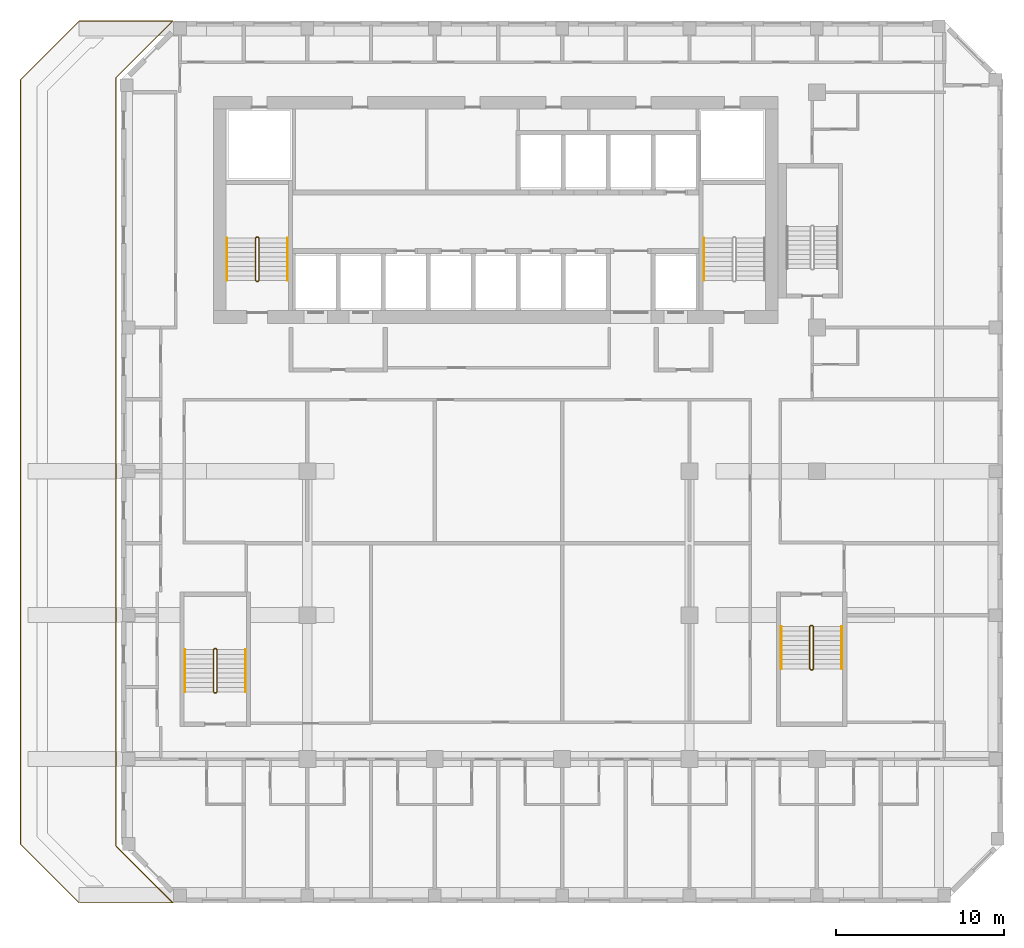
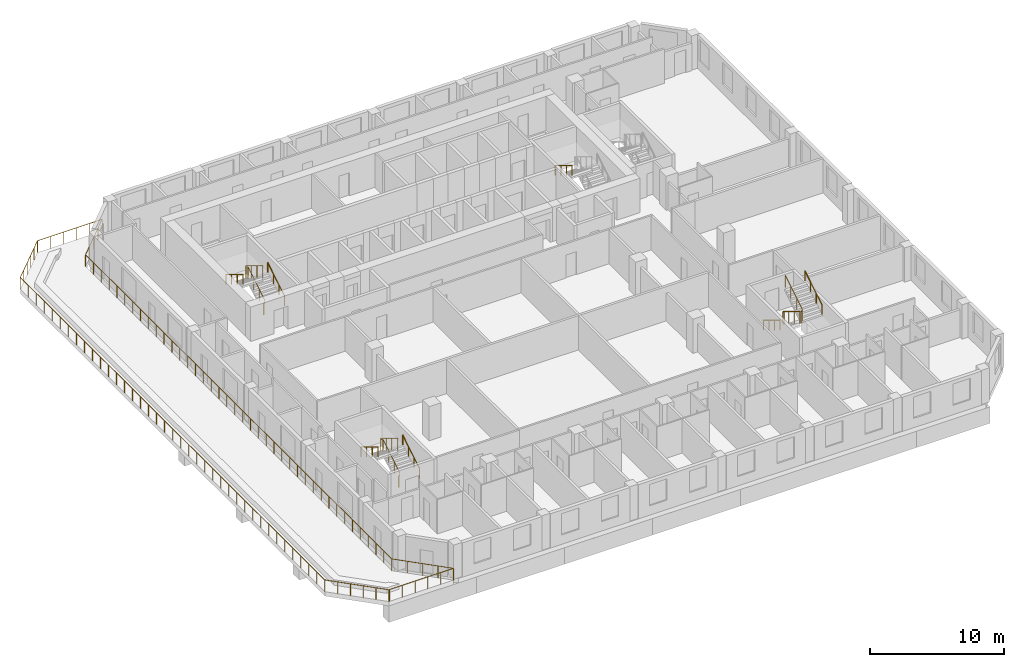
# One storey, part 15 of 16: 11 railings.
"""IFC4 building model written with IfcOpenShell, lengths in metres."""

from ifc_helpers import new_model, si_unit, direction, frame, origin, origin_2d, place, context, subcontext, project, spatial, circle, extrude, material, type_object, element, save


model = new_model("IFC4")

# Units and contexts
model_context = context("Model", 3, precision=1e-05, world=origin(), true_north=direction((0.0, 1.0)))
body_context = subcontext(model_context, "Body", "Model", "MODEL_VIEW")
ifc_project = project(units=[si_unit("LENGTHUNIT", "METRE"), si_unit("AREAUNIT", "SQUARE_METRE"), si_unit("VOLUMEUNIT", "CUBIC_METRE"), si_unit("PLANEANGLEUNIT", "RADIAN"), si_unit("MASSUNIT", "GRAM", prefix="KILO")], contexts=[model_context])

# Site, building, storey
site_placement = place(None, origin())
site = spatial("IfcSite", under=ifc_project, at=site_placement, CompositionType="ELEMENT")
building_placement = place(site_placement, origin())
building = spatial("IfcBuilding", under=site, at=building_placement, Name="Kilnfold Tower and Market Hall", CompositionType="ELEMENT")
storey_placement = place(building_placement, frame((0.0, 0.0, 199.89990234375)))
storey = spatial("IfcBuildingStorey", under=building, at=storey_placement, Name="L48", CompositionType="ELEMENT", Elevation=199.89990234375)

# Railings
ifc_material_1 = material(Name="Stainless steel 316", Category="steel")
railing_type_1 = type_object("IfcRailingType", Name="CORE STAIR GUARD 1100", PredefinedType="GUARDRAIL", material=ifc_material_1)
railing_1_placement = place(storey_placement, frame((-13.199951171875, 10.75, 0.0)))
element("IfcRailing", 1, at=railing_1_placement, inside=storey, type_object=railing_type_1, Name="L48 ST1 stair guard 1", PredefinedType="GUARDRAIL", context=body_context, shape_type="SweptSolid", body=[
    extrude(circle(Radius=0.02392578125, at=origin_2d()), frame((0.0, 0.0, 1.076171875), z_axis=(1.0, 0.0, 0.0), x_axis=(0.0, 1.0, 0.0)), (0.0, 0.0, 1.0), 0.099853515625),
    extrude(circle(Radius=0.02392578125, at=origin_2d()), frame((0.099853515625, 0.0, 1.076171875), z_axis=(0.271562723297, 0.271562723297, 0.923313259209), x_axis=(-0.707106781187, 0.707106781187, 0.0)), (0.0, 0.0, 1.0), 0.184326171875),
    extrude(circle(Radius=0.02392578125, at=origin_2d()), frame((0.14990234375, 0.050048828125, 1.24609375), z_axis=(0.0, 0.85478489116, 0.518982456201), x_axis=(-1.0, 0.0, 0.0)), (0.0, 0.0, 1.0), 2.9482421875),
    extrude(circle(Radius=0.02392578125, at=origin_2d()), frame((0.14990234375, 2.570068359375, 2.7763671875), z_axis=(-0.707106781187, 0.707106781187, 0.0), x_axis=(-0.707106781187, -0.707106781187, 0.0)), (0.0, 0.0, 1.0), 0.07080078125),
    extrude(circle(Radius=0.02392578125, at=origin_2d()), frame((0.099853515625, 2.6201171875, 2.7763671875), z_axis=(-1.0, 0.0, 0.0), x_axis=(0.0, -1.0, 0.0)), (0.0, 0.0, 1.0), 0.099853515625),
    extrude(circle(Radius=0.02392578125, at=origin_2d()), frame((0.0, 2.6201171875, 2.7763671875), z_axis=(-0.271895245746, -0.271895245746, 0.923117517265), x_axis=(0.707106781187, -0.707106781187, 0.0)), (0.0, 0.0, 1.0), 0.18408203125),
    extrude(circle(Radius=0.02392578125, at=origin_2d()), frame((-0.050048828125, 2.570068359375, 2.9462890625), z_axis=(0.0, -0.85478489116, 0.518982456201), x_axis=(1.0, 0.0, 0.0)), (0.0, 0.0, 1.0), 2.9482421875),
    extrude(circle(Radius=0.02099609375, at=origin_2d()), origin(), (0.0, 0.0, 1.0), 1.052001953125),
    extrude(circle(Radius=0.02099609375, at=origin_2d()), frame((0.099853515625, 0.0, 0.0)), (0.0, 0.0, 1.0), 1.052001953125),
    extrude(circle(Radius=0.02099609375, at=origin_2d()), frame((0.14990234375, 0.050048828125, 0.170166015625)), (0.0, 0.0, 1.0), 1.052001953125),
    extrude(circle(Radius=0.02099609375, at=origin_2d()), frame((0.14990234375, 0.89013671875, 0.68017578125)), (0.0, 0.0, 1.0), 1.052001953125),
    extrude(circle(Radius=0.02099609375, at=origin_2d()), frame((0.14990234375, 1.72998046875, 1.190185546875)), (0.0, 0.0, 1.0), 1.052001953125),
    extrude(circle(Radius=0.02099609375, at=origin_2d()), frame((0.14990234375, 2.570068359375, 1.7001953125)), (0.0, 0.0, 1.0), 1.052001953125),
    extrude(circle(Radius=0.02099609375, at=origin_2d()), frame((0.099853515625, 2.6201171875, 1.7001953125)), (0.0, 0.0, 1.0), 1.052001953125),
    extrude(circle(Radius=0.02099609375, at=origin_2d()), frame((0.0, 2.6201171875, 1.7001953125)), (0.0, 0.0, 1.0), 1.052001953125),
    extrude(circle(Radius=0.02099609375, at=origin_2d()), frame((-0.050048828125, 2.570068359375, 1.8701171875)), (0.0, 0.0, 1.0), 1.052001953125),
    extrude(circle(Radius=0.02099609375, at=origin_2d()), frame((-0.050048828125, 1.72998046875, 2.380126953125)), (0.0, 0.0, 1.0), 1.052001953125),
    extrude(circle(Radius=0.02099609375, at=origin_2d()), frame((-0.050048828125, 0.89013671875, 2.89013671875)), (0.0, 0.0, 1.0), 1.052001953125),
    extrude(circle(Radius=0.02099609375, at=origin_2d()), frame((-0.050048828125, 0.050048828125, 3.400146484375)), (0.0, 0.0, 1.0), 1.052001953125),
])
railing_2_placement = place(storey_placement, frame((-15.699951171875, -13.75, 0.0)))
element("IfcRailing", 2, at=railing_2_placement, inside=storey, type_object=railing_type_1, Name="L48 ST3 stair guard 1", PredefinedType="GUARDRAIL", context=body_context, shape_type="SweptSolid", body=[
    extrude(circle(Radius=0.02392578125, at=origin_2d()), frame((0.0, 0.0, 1.076171875), z_axis=(1.0, 0.0, 0.0), x_axis=(0.0, 1.0, 0.0)), (0.0, 0.0, 1.0), 0.099853515625),
    extrude(circle(Radius=0.02392578125, at=origin_2d()), frame((0.099853515625, 0.0, 1.076171875), z_axis=(0.271562723297, 0.271562723297, 0.923313259209), x_axis=(-0.707106781187, 0.707106781187, 0.0)), (0.0, 0.0, 1.0), 0.184326171875),
    extrude(circle(Radius=0.02392578125, at=origin_2d()), frame((0.14990234375, 0.050048828125, 1.24609375), z_axis=(0.0, 0.85478489116, 0.518982456201), x_axis=(-1.0, 0.0, 0.0)), (0.0, 0.0, 1.0), 2.9482421875),
    extrude(circle(Radius=0.02392578125, at=origin_2d()), frame((0.14990234375, 2.570068359375, 2.7763671875), z_axis=(-0.707106781187, 0.707106781187, 0.0), x_axis=(-0.707106781187, -0.707106781187, 0.0)), (0.0, 0.0, 1.0), 0.07080078125),
    extrude(circle(Radius=0.02392578125, at=origin_2d()), frame((0.099853515625, 2.6201171875, 2.7763671875), z_axis=(-1.0, 0.0, 0.0), x_axis=(0.0, -1.0, 0.0)), (0.0, 0.0, 1.0), 0.099853515625),
    extrude(circle(Radius=0.02392578125, at=origin_2d()), frame((0.0, 2.6201171875, 2.7763671875), z_axis=(-0.271895245746, -0.271895245746, 0.923117517265), x_axis=(0.707106781187, -0.707106781187, 0.0)), (0.0, 0.0, 1.0), 0.18408203125),
    extrude(circle(Radius=0.02392578125, at=origin_2d()), frame((-0.050048828125, 2.570068359375, 2.9462890625), z_axis=(0.0, -0.85478489116, 0.518982456201), x_axis=(1.0, 0.0, 0.0)), (0.0, 0.0, 1.0), 2.9482421875),
    extrude(circle(Radius=0.02099609375, at=origin_2d()), origin(), (0.0, 0.0, 1.0), 1.052001953125),
    extrude(circle(Radius=0.02099609375, at=origin_2d()), frame((0.099853515625, 0.0, 0.0)), (0.0, 0.0, 1.0), 1.052001953125),
    extrude(circle(Radius=0.02099609375, at=origin_2d()), frame((0.14990234375, 0.050048828125, 0.170166015625)), (0.0, 0.0, 1.0), 1.052001953125),
    extrude(circle(Radius=0.02099609375, at=origin_2d()), frame((0.14990234375, 0.89013671875, 0.68017578125)), (0.0, 0.0, 1.0), 1.052001953125),
    extrude(circle(Radius=0.02099609375, at=origin_2d()), frame((0.14990234375, 1.72998046875, 1.190185546875)), (0.0, 0.0, 1.0), 1.052001953125),
    extrude(circle(Radius=0.02099609375, at=origin_2d()), frame((0.14990234375, 2.570068359375, 1.7001953125)), (0.0, 0.0, 1.0), 1.052001953125),
    extrude(circle(Radius=0.02099609375, at=origin_2d()), frame((0.099853515625, 2.6201171875, 1.7001953125)), (0.0, 0.0, 1.0), 1.052001953125),
    extrude(circle(Radius=0.02099609375, at=origin_2d()), frame((0.0, 2.6201171875, 1.7001953125)), (0.0, 0.0, 1.0), 1.052001953125),
    extrude(circle(Radius=0.02099609375, at=origin_2d()), frame((-0.050048828125, 2.570068359375, 1.8701171875)), (0.0, 0.0, 1.0), 1.052001953125),
    extrude(circle(Radius=0.02099609375, at=origin_2d()), frame((-0.050048828125, 1.72998046875, 2.380126953125)), (0.0, 0.0, 1.0), 1.052001953125),
    extrude(circle(Radius=0.02099609375, at=origin_2d()), frame((-0.050048828125, 0.89013671875, 2.89013671875)), (0.0, 0.0, 1.0), 1.052001953125),
    extrude(circle(Radius=0.02099609375, at=origin_2d()), frame((-0.050048828125, 0.050048828125, 3.400146484375)), (0.0, 0.0, 1.0), 1.052001953125),
])
railing_3_placement = place(storey_placement, frame((19.89990234375, -9.75, 0.0)))
element("IfcRailing", 3, at=railing_3_placement, inside=storey, type_object=railing_type_1, Name="L48 ST4 stair guard 1", PredefinedType="GUARDRAIL", context=body_context, shape_type="SweptSolid", body=[
    extrude(circle(Radius=0.02392578125, at=origin_2d()), frame((0.0, 0.0, 1.076171875), z_axis=(-1.0, 0.0, 0.0), x_axis=(0.0, -1.0, 0.0)), (0.0, 0.0, 1.0), 0.099853515625),
    extrude(circle(Radius=0.02392578125, at=origin_2d()), frame((-0.099853515625, 0.0, 1.076171875), z_axis=(-0.271562723297, -0.271562723297, 0.923313259209), x_axis=(0.707106781187, -0.707106781187, 0.0)), (0.0, 0.0, 1.0), 0.184326171875),
    extrude(circle(Radius=0.02392578125, at=origin_2d()), frame((-0.14990234375, -0.050048828125, 1.24609375), z_axis=(0.0, -0.85478489116, 0.518982456201), x_axis=(1.0, 0.0, 0.0)), (0.0, 0.0, 1.0), 2.9482421875),
    extrude(circle(Radius=0.02392578125, at=origin_2d()), frame((-0.14990234375, -2.570068359375, 2.7763671875), z_axis=(0.707106781187, -0.707106781187, 0.0), x_axis=(0.707106781187, 0.707106781187, 0.0)), (0.0, 0.0, 1.0), 0.07080078125),
    extrude(circle(Radius=0.02392578125, at=origin_2d()), frame((-0.099853515625, -2.6201171875, 2.7763671875), z_axis=(1.0, 0.0, 0.0), x_axis=(0.0, 1.0, 0.0)), (0.0, 0.0, 1.0), 0.099853515625),
    extrude(circle(Radius=0.02392578125, at=origin_2d()), frame((0.0, -2.6201171875, 2.7763671875), z_axis=(0.271895245746, 0.271895245746, 0.923117517265), x_axis=(-0.707106781187, 0.707106781187, 0.0)), (0.0, 0.0, 1.0), 0.18408203125),
    extrude(circle(Radius=0.02392578125, at=origin_2d()), frame((0.050048828125, -2.570068359375, 2.9462890625), z_axis=(0.0, 0.85478489116, 0.518982456201), x_axis=(-1.0, 0.0, 0.0)), (0.0, 0.0, 1.0), 2.9482421875),
    extrude(circle(Radius=0.02099609375, at=origin_2d()), origin(), (0.0, 0.0, 1.0), 1.052001953125),
    extrude(circle(Radius=0.02099609375, at=origin_2d()), frame((-0.099853515625, 0.0, 0.0)), (0.0, 0.0, 1.0), 1.052001953125),
    extrude(circle(Radius=0.02099609375, at=origin_2d()), frame((-0.14990234375, -0.050048828125, 0.170166015625)), (0.0, 0.0, 1.0), 1.052001953125),
    extrude(circle(Radius=0.02099609375, at=origin_2d()), frame((-0.14990234375, -0.89013671875, 0.68017578125)), (0.0, 0.0, 1.0), 1.052001953125),
    extrude(circle(Radius=0.02099609375, at=origin_2d()), frame((-0.14990234375, -1.72998046875, 1.190185546875)), (0.0, 0.0, 1.0), 1.052001953125),
    extrude(circle(Radius=0.02099609375, at=origin_2d()), frame((-0.14990234375, -2.570068359375, 1.7001953125)), (0.0, 0.0, 1.0), 1.052001953125),
    extrude(circle(Radius=0.02099609375, at=origin_2d()), frame((-0.099853515625, -2.6201171875, 1.7001953125)), (0.0, 0.0, 1.0), 1.052001953125),
    extrude(circle(Radius=0.02099609375, at=origin_2d()), frame((0.0, -2.6201171875, 1.7001953125)), (0.0, 0.0, 1.0), 1.052001953125),
    extrude(circle(Radius=0.02099609375, at=origin_2d()), frame((0.050048828125, -2.570068359375, 1.8701171875)), (0.0, 0.0, 1.0), 1.052001953125),
    extrude(circle(Radius=0.02099609375, at=origin_2d()), frame((0.050048828125, -1.72998046875, 2.380126953125)), (0.0, 0.0, 1.0), 1.052001953125),
    extrude(circle(Radius=0.02099609375, at=origin_2d()), frame((0.050048828125, -0.89013671875, 2.89013671875)), (0.0, 0.0, 1.0), 1.052001953125),
    extrude(circle(Radius=0.02099609375, at=origin_2d()), frame((0.050048828125, -0.050048828125, 3.400146484375)), (0.0, 0.0, 1.0), 1.052001953125),
])
ifc_material_2 = material(Name="Stainless steel 316", Category="steel")
railing_type_2 = type_object("IfcRailingType", Name="CORE STAIR HANDRAIL 900", PredefinedType="HANDRAIL", material=ifc_material_2)
railing_4_placement = place(storey_placement, frame((-11.35009765625, 10.800048828125, 0.170166015625)))
element("IfcRailing", 4, at=railing_4_placement, inside=storey, type_object=railing_type_2, Name="L48 ST1 stair handrail 1", PredefinedType="HANDRAIL", context=body_context, shape_type="SweptSolid", body=[
    extrude(circle(Radius=0.02392578125, at=origin_2d()), frame((0.0, 0.0, 0.8759765625), z_axis=(0.0, 0.85478489116, 0.518982456201), x_axis=(-1.0, 0.0, 0.0)), (0.0, 0.0, 1.0), 2.9482421875),
    extrude(circle(Radius=0.02099609375, at=origin_2d()), origin(), (0.0, 0.0, 1.0), 0.851806640625),
    extrude(circle(Radius=0.02099609375, at=origin_2d()), frame((0.0, 0.840087890625, 0.510009765625)), (0.0, 0.0, 1.0), 0.851806640625),
    extrude(circle(Radius=0.02099609375, at=origin_2d()), frame((0.0, 1.679931640625, 1.02001953125)), (0.0, 0.0, 1.0), 0.851806640625),
    extrude(circle(Radius=0.02099609375, at=origin_2d()), frame((0.0, 2.52001953125, 1.530029296875)), (0.0, 0.0, 1.0), 0.851806640625),
])
for number, where, name in (
    (5, (-14.949951171875, 13.320068359375, 1.8701171875), "L48 ST1 stair handrail 2"),
    (6, (13.449951171875, 13.320068359375, 1.8701171875), "L48 ST2 stair handrail 2"),
):
    element("IfcRailing", number, at=place(storey_placement, frame(where)), inside=storey, type_object=railing_type_2, Name=name, PredefinedType="HANDRAIL", context=body_context, shape_type="SweptSolid", body=[
        extrude(circle(Radius=0.02392578125, at=origin_2d()), frame((0.0, 0.0, 0.8759765625), z_axis=(0.0, -0.85478489116, 0.518982456201), x_axis=(1.0, 0.0, 0.0)), (0.0, 0.0, 1.0), 2.9482421875),
        extrude(circle(Radius=0.02099609375, at=origin_2d()), origin(), (0.0, 0.0, 1.0), 0.851806640625),
        extrude(circle(Radius=0.02099609375, at=origin_2d()), frame((0.0, -0.840087890625, 0.510009765625)), (0.0, 0.0, 1.0), 0.851806640625),
        extrude(circle(Radius=0.02099609375, at=origin_2d()), frame((0.0, -1.679931640625, 1.02001953125)), (0.0, 0.0, 1.0), 0.851806640625),
        extrude(circle(Radius=0.02099609375, at=origin_2d()), frame((0.0, -2.52001953125, 1.530029296875)), (0.0, 0.0, 1.0), 0.851806640625),
    ])
railing_5_placement = place(storey_placement, frame((-13.85009765625, -13.699951171875, 0.170166015625)))
element("IfcRailing", 7, at=railing_5_placement, inside=storey, type_object=railing_type_2, Name="L48 ST3 stair handrail 1", PredefinedType="HANDRAIL", context=body_context, shape_type="SweptSolid", body=[
    extrude(circle(Radius=0.02392578125, at=origin_2d()), frame((0.0, 0.0, 0.8759765625), z_axis=(0.0, 0.85478489116, 0.518982456201), x_axis=(-1.0, 0.0, 0.0)), (0.0, 0.0, 1.0), 2.9482421875),
    extrude(circle(Radius=0.02099609375, at=origin_2d()), origin(), (0.0, 0.0, 1.0), 0.851806640625),
    extrude(circle(Radius=0.02099609375, at=origin_2d()), frame((0.0, 0.840087890625, 0.510009765625)), (0.0, 0.0, 1.0), 0.851806640625),
    extrude(circle(Radius=0.02099609375, at=origin_2d()), frame((0.0, 1.679931640625, 1.02001953125)), (0.0, 0.0, 1.0), 0.851806640625),
    extrude(circle(Radius=0.02099609375, at=origin_2d()), frame((0.0, 2.52001953125, 1.530029296875)), (0.0, 0.0, 1.0), 0.851806640625),
])
for number, where, name in (
    (8, (-17.449951171875, -11.179931640625, 1.8701171875), "L48 ST3 stair handrail 2"),
    (9, (18.050048828125, -9.800048828125, 0.170166015625), "L48 ST4 stair handrail 1"),
):
    element("IfcRailing", number, at=place(storey_placement, frame(where)), inside=storey, type_object=railing_type_2, Name=name, PredefinedType="HANDRAIL", context=body_context, shape_type="SweptSolid", body=[
        extrude(circle(Radius=0.02392578125, at=origin_2d()), frame((0.0, 0.0, 0.8759765625), z_axis=(0.0, -0.85478489116, 0.518982456201), x_axis=(1.0, 0.0, 0.0)), (0.0, 0.0, 1.0), 2.9482421875),
        extrude(circle(Radius=0.02099609375, at=origin_2d()), origin(), (0.0, 0.0, 1.0), 0.851806640625),
        extrude(circle(Radius=0.02099609375, at=origin_2d()), frame((0.0, -0.840087890625, 0.510009765625)), (0.0, 0.0, 1.0), 0.851806640625),
        extrude(circle(Radius=0.02099609375, at=origin_2d()), frame((0.0, -1.679931640625, 1.02001953125)), (0.0, 0.0, 1.0), 0.851806640625),
        extrude(circle(Radius=0.02099609375, at=origin_2d()), frame((0.0, -2.52001953125, 1.530029296875)), (0.0, 0.0, 1.0), 0.851806640625),
    ])
railing_6_placement = place(storey_placement, frame((21.64990234375, -12.320068359375, 1.8701171875)))
element("IfcRailing", 10, at=railing_6_placement, inside=storey, type_object=railing_type_2, Name="L48 ST4 stair handrail 2", PredefinedType="HANDRAIL", context=body_context, shape_type="SweptSolid", body=[
    extrude(circle(Radius=0.02392578125, at=origin_2d()), frame((0.0, 0.0, 0.8759765625), z_axis=(0.0, 0.85478489116, 0.518982456201), x_axis=(-1.0, 0.0, 0.0)), (0.0, 0.0, 1.0), 2.9482421875),
    extrude(circle(Radius=0.02099609375, at=origin_2d()), origin(), (0.0, 0.0, 1.0), 0.851806640625),
    extrude(circle(Radius=0.02099609375, at=origin_2d()), frame((0.0, 0.840087890625, 0.510009765625)), (0.0, 0.0, 1.0), 0.851806640625),
    extrude(circle(Radius=0.02099609375, at=origin_2d()), frame((0.0, 1.679931640625, 1.02001953125)), (0.0, 0.0, 1.0), 0.851806640625),
    extrude(circle(Radius=0.02099609375, at=origin_2d()), frame((0.0, 2.52001953125, 1.530029296875)), (0.0, 0.0, 1.0), 0.851806640625),
])
ifc_material_3 = material(Name="Stainless steel and laminated glass", Category="steel")
railing_type_3 = type_object("IfcRailingType", Name="GUARD 1100", PredefinedType="GUARDRAIL", material=ifc_material_3)
railing_7_placement = place(storey_placement, frame((-23.75, -26.25, 0.0)))
element("IfcRailing", 11, at=railing_7_placement, inside=storey, type_object=railing_type_3, Name="Guard terrace L48", PredefinedType="GUARDRAIL", context=body_context, shape_type="SweptSolid", body=[
    extrude(circle(Radius=0.02490234375, at=origin_2d()), frame((0.0, 0.0, 1.0751953125), z_axis=(-0.707106781187, 0.707106781187, 0.0), x_axis=(-0.707106781187, -0.707106781187, 0.0)), (0.0, 0.0, 1.0), 4.94970703125),
    extrude(circle(Radius=0.02490234375, at=origin_2d()), frame((-3.5, 3.5, 1.0751953125), z_axis=(0.0, 1.0, 0.0), x_axis=(-1.0, 0.0, 0.0)), (0.0, 0.0, 1.0), 45.5),
    extrude(circle(Radius=0.02490234375, at=origin_2d()), frame((-3.5, 49.0, 1.0751953125), z_axis=(0.707106781187, 0.707106781187, 0.0), x_axis=(-0.707106781187, 0.707106781187, 0.0)), (0.0, 0.0, 1.0), 4.94970703125),
    extrude(circle(Radius=0.02490234375, at=origin_2d()), frame((0.0, 52.5, 1.0751953125), z_axis=(1.0, 0.0, 0.0), x_axis=(0.0, 1.0, 0.0)), (0.0, 0.0, 1.0), 5.57568359375),
    extrude(circle(Radius=0.02490234375, at=origin_2d()), frame((5.57568359375, 52.5, 1.0751953125), z_axis=(-0.707106781187, -0.707106781187, 0.0), x_axis=(0.707106781187, -0.707106781187, 0.0)), (0.0, 0.0, 1.0), 4.77392578125),
    extrude(circle(Radius=0.02490234375, at=origin_2d()), frame((2.199951171875, 49.124267578125, 1.0751953125), z_axis=(0.0, -1.0, 0.0), x_axis=(1.0, 0.0, 0.0)), (0.0, 0.0, 1.0), 45.74853515625),
    extrude(circle(Radius=0.02490234375, at=origin_2d()), frame((2.199951171875, 3.375732421875, 1.0751953125), z_axis=(0.707106781187, -0.707106781187, 0.0), x_axis=(0.707106781187, 0.707106781187, 0.0)), (0.0, 0.0, 1.0), 4.77392578125),
    extrude(circle(Radius=0.02490234375, at=origin_2d()), frame((5.57568359375, 0.0, 1.0751953125), z_axis=(-1.0, 0.0, 0.0), x_axis=(0.0, -1.0, 0.0)), (0.0, 0.0, 1.0), 5.515625),
    extrude(circle(Radius=0.02490234375, at=origin_2d()), origin(), (0.0, 0.0, 1.0), 1.050048828125),
    extrude(circle(Radius=0.02490234375, at=origin_2d()), frame((-0.699951171875, 0.699951171875, 0.0)), (0.0, 0.0, 1.0), 1.050048828125),
    extrude(circle(Radius=0.02490234375, at=origin_2d()), frame((-1.39990234375, 1.39990234375, 0.0)), (0.0, 0.0, 1.0), 1.050048828125),
    extrude(circle(Radius=0.02490234375, at=origin_2d()), frame((-2.10009765625, 2.10009765625, 0.0)), (0.0, 0.0, 1.0), 1.050048828125),
    extrude(circle(Radius=0.02490234375, at=origin_2d()), frame((-2.800048828125, 2.800048828125, 0.0)), (0.0, 0.0, 1.0), 1.050048828125),
    extrude(circle(Radius=0.02490234375, at=origin_2d()), frame((-3.5, 3.5, 0.0)), (0.0, 0.0, 1.0), 1.050048828125),
    extrude(circle(Radius=0.02490234375, at=origin_2d()), frame((-3.5, 4.697265625, 0.0)), (0.0, 0.0, 1.0), 1.050048828125),
    extrude(circle(Radius=0.02490234375, at=origin_2d()), frame((-3.5, 5.894775390625, 0.0)), (0.0, 0.0, 1.0), 1.050048828125),
    extrude(circle(Radius=0.02490234375, at=origin_2d()), frame((-3.5, 7.092041015625, 0.0)), (0.0, 0.0, 1.0), 1.050048828125),
    extrude(circle(Radius=0.02490234375, at=origin_2d()), frame((-3.5, 8.28955078125, 0.0)), (0.0, 0.0, 1.0), 1.050048828125),
    extrude(circle(Radius=0.02490234375, at=origin_2d()), frame((-3.5, 9.48681640625, 0.0)), (0.0, 0.0, 1.0), 1.050048828125),
    extrude(circle(Radius=0.02490234375, at=origin_2d()), frame((-3.5, 10.684326171875, 0.0)), (0.0, 0.0, 1.0), 1.050048828125),
    extrude(circle(Radius=0.02490234375, at=origin_2d()), frame((-3.5, 11.881591796875, 0.0)), (0.0, 0.0, 1.0), 1.050048828125),
    extrude(circle(Radius=0.02490234375, at=origin_2d()), frame((-3.5, 13.078857421875, 0.0)), (0.0, 0.0, 1.0), 1.050048828125),
    extrude(circle(Radius=0.02490234375, at=origin_2d()), frame((-3.5, 14.2763671875, 0.0)), (0.0, 0.0, 1.0), 1.050048828125),
    extrude(circle(Radius=0.02490234375, at=origin_2d()), frame((-3.5, 15.4736328125, 0.0)), (0.0, 0.0, 1.0), 1.050048828125),
    extrude(circle(Radius=0.02490234375, at=origin_2d()), frame((-3.5, 16.671142578125, 0.0)), (0.0, 0.0, 1.0), 1.050048828125),
    extrude(circle(Radius=0.02490234375, at=origin_2d()), frame((-3.5, 17.868408203125, 0.0)), (0.0, 0.0, 1.0), 1.050048828125),
    extrude(circle(Radius=0.02490234375, at=origin_2d()), frame((-3.5, 19.065673828125, 0.0)), (0.0, 0.0, 1.0), 1.050048828125),
    extrude(circle(Radius=0.02490234375, at=origin_2d()), frame((-3.5, 20.26318359375, 0.0)), (0.0, 0.0, 1.0), 1.050048828125),
    extrude(circle(Radius=0.02490234375, at=origin_2d()), frame((-3.5, 21.46044921875, 0.0)), (0.0, 0.0, 1.0), 1.050048828125),
    extrude(circle(Radius=0.02490234375, at=origin_2d()), frame((-3.5, 22.657958984375, 0.0)), (0.0, 0.0, 1.0), 1.050048828125),
    extrude(circle(Radius=0.02490234375, at=origin_2d()), frame((-3.5, 23.855224609375, 0.0)), (0.0, 0.0, 1.0), 1.050048828125),
    extrude(circle(Radius=0.02490234375, at=origin_2d()), frame((-3.5, 25.052734375, 0.0)), (0.0, 0.0, 1.0), 1.050048828125),
    extrude(circle(Radius=0.02490234375, at=origin_2d()), frame((-3.5, 26.25, 0.0)), (0.0, 0.0, 1.0), 1.050048828125),
    extrude(circle(Radius=0.02490234375, at=origin_2d()), frame((-3.5, 27.447265625, 0.0)), (0.0, 0.0, 1.0), 1.050048828125),
    extrude(circle(Radius=0.02490234375, at=origin_2d()), frame((-3.5, 28.644775390625, 0.0)), (0.0, 0.0, 1.0), 1.050048828125),
    extrude(circle(Radius=0.02490234375, at=origin_2d()), frame((-3.5, 29.842041015625, 0.0)), (0.0, 0.0, 1.0), 1.050048828125),
    extrude(circle(Radius=0.02490234375, at=origin_2d()), frame((-3.5, 31.03955078125, 0.0)), (0.0, 0.0, 1.0), 1.050048828125),
    extrude(circle(Radius=0.02490234375, at=origin_2d()), frame((-3.5, 32.23681640625, 0.0)), (0.0, 0.0, 1.0), 1.050048828125),
    extrude(circle(Radius=0.02490234375, at=origin_2d()), frame((-3.5, 33.434326171875, 0.0)), (0.0, 0.0, 1.0), 1.050048828125),
    extrude(circle(Radius=0.02490234375, at=origin_2d()), frame((-3.5, 34.631591796875, 0.0)), (0.0, 0.0, 1.0), 1.050048828125),
    extrude(circle(Radius=0.02490234375, at=origin_2d()), frame((-3.5, 35.828857421875, 0.0)), (0.0, 0.0, 1.0), 1.050048828125),
    extrude(circle(Radius=0.02490234375, at=origin_2d()), frame((-3.5, 37.0263671875, 0.0)), (0.0, 0.0, 1.0), 1.050048828125),
    extrude(circle(Radius=0.02490234375, at=origin_2d()), frame((-3.5, 38.2236328125, 0.0)), (0.0, 0.0, 1.0), 1.050048828125),
    extrude(circle(Radius=0.02490234375, at=origin_2d()), frame((-3.5, 39.421142578125, 0.0)), (0.0, 0.0, 1.0), 1.050048828125),
    extrude(circle(Radius=0.02490234375, at=origin_2d()), frame((-3.5, 40.618408203125, 0.0)), (0.0, 0.0, 1.0), 1.050048828125),
    extrude(circle(Radius=0.02490234375, at=origin_2d()), frame((-3.5, 41.815673828125, 0.0)), (0.0, 0.0, 1.0), 1.050048828125),
    extrude(circle(Radius=0.02490234375, at=origin_2d()), frame((-3.5, 43.01318359375, 0.0)), (0.0, 0.0, 1.0), 1.050048828125),
    extrude(circle(Radius=0.02490234375, at=origin_2d()), frame((-3.5, 44.21044921875, 0.0)), (0.0, 0.0, 1.0), 1.050048828125),
    extrude(circle(Radius=0.02490234375, at=origin_2d()), frame((-3.5, 45.407958984375, 0.0)), (0.0, 0.0, 1.0), 1.050048828125),
    extrude(circle(Radius=0.02490234375, at=origin_2d()), frame((-3.5, 46.605224609375, 0.0)), (0.0, 0.0, 1.0), 1.050048828125),
    extrude(circle(Radius=0.02490234375, at=origin_2d()), frame((-3.5, 47.802734375, 0.0)), (0.0, 0.0, 1.0), 1.050048828125),
    extrude(circle(Radius=0.02490234375, at=origin_2d()), frame((-3.5, 49.0, 0.0)), (0.0, 0.0, 1.0), 1.050048828125),
    extrude(circle(Radius=0.02490234375, at=origin_2d()), frame((-2.800048828125, 49.699951171875, 0.0)), (0.0, 0.0, 1.0), 1.050048828125),
    extrude(circle(Radius=0.02490234375, at=origin_2d()), frame((-2.10009765625, 50.39990234375, 0.0)), (0.0, 0.0, 1.0), 1.050048828125),
    extrude(circle(Radius=0.02490234375, at=origin_2d()), frame((-1.39990234375, 51.10009765625, 0.0)), (0.0, 0.0, 1.0), 1.050048828125),
    extrude(circle(Radius=0.02490234375, at=origin_2d()), frame((-0.699951171875, 51.800048828125, 0.0)), (0.0, 0.0, 1.0), 1.050048828125),
    extrude(circle(Radius=0.02490234375, at=origin_2d()), frame((0.0, 52.5, 0.0)), (0.0, 0.0, 1.0), 1.050048828125),
    extrude(circle(Radius=0.02490234375, at=origin_2d()), frame((1.115234375, 52.5, 0.0)), (0.0, 0.0, 1.0), 1.050048828125),
    extrude(circle(Radius=0.02490234375, at=origin_2d()), frame((2.230224609375, 52.5, 0.0)), (0.0, 0.0, 1.0), 1.050048828125),
    extrude(circle(Radius=0.02490234375, at=origin_2d()), frame((3.345458984375, 52.5, 0.0)), (0.0, 0.0, 1.0), 1.050048828125),
    extrude(circle(Radius=0.02490234375, at=origin_2d()), frame((4.46044921875, 52.5, 0.0)), (0.0, 0.0, 1.0), 1.050048828125),
    extrude(circle(Radius=0.02490234375, at=origin_2d()), frame((5.57568359375, 52.5, 0.0)), (0.0, 0.0, 1.0), 1.050048828125),
    extrude(circle(Radius=0.02490234375, at=origin_2d()), frame((4.731689453125, 51.656005859375, 0.0)), (0.0, 0.0, 1.0), 1.050048828125),
    extrude(circle(Radius=0.02490234375, at=origin_2d()), frame((3.8876953125, 50.81201171875, 0.0)), (0.0, 0.0, 1.0), 1.050048828125),
    extrude(circle(Radius=0.02490234375, at=origin_2d()), frame((3.0439453125, 49.96826171875, 0.0)), (0.0, 0.0, 1.0), 1.050048828125),
    extrude(circle(Radius=0.02490234375, at=origin_2d()), frame((2.199951171875, 49.124267578125, 0.0)), (0.0, 0.0, 1.0), 1.050048828125),
    extrude(circle(Radius=0.02490234375, at=origin_2d()), frame((2.199951171875, 47.951171875, 0.0)), (0.0, 0.0, 1.0), 1.050048828125),
    extrude(circle(Radius=0.02490234375, at=origin_2d()), frame((2.199951171875, 46.778076171875, 0.0)), (0.0, 0.0, 1.0), 1.050048828125),
    extrude(circle(Radius=0.02490234375, at=origin_2d()), frame((2.199951171875, 45.605224609375, 0.0)), (0.0, 0.0, 1.0), 1.050048828125),
    extrude(circle(Radius=0.02490234375, at=origin_2d()), frame((2.199951171875, 44.43212890625, 0.0)), (0.0, 0.0, 1.0), 1.050048828125),
    extrude(circle(Radius=0.02490234375, at=origin_2d()), frame((2.199951171875, 43.259033203125, 0.0)), (0.0, 0.0, 1.0), 1.050048828125),
    extrude(circle(Radius=0.02490234375, at=origin_2d()), frame((2.199951171875, 42.0859375, 0.0)), (0.0, 0.0, 1.0), 1.050048828125),
    extrude(circle(Radius=0.02490234375, at=origin_2d()), frame((2.199951171875, 40.9130859375, 0.0)), (0.0, 0.0, 1.0), 1.050048828125),
    extrude(circle(Radius=0.02490234375, at=origin_2d()), frame((2.199951171875, 39.739990234375, 0.0)), (0.0, 0.0, 1.0), 1.050048828125),
    extrude(circle(Radius=0.02490234375, at=origin_2d()), frame((2.199951171875, 38.56689453125, 0.0)), (0.0, 0.0, 1.0), 1.050048828125),
    extrude(circle(Radius=0.02490234375, at=origin_2d()), frame((2.199951171875, 37.393798828125, 0.0)), (0.0, 0.0, 1.0), 1.050048828125),
    extrude(circle(Radius=0.02490234375, at=origin_2d()), frame((2.199951171875, 36.220947265625, 0.0)), (0.0, 0.0, 1.0), 1.050048828125),
    extrude(circle(Radius=0.02490234375, at=origin_2d()), frame((2.199951171875, 35.0478515625, 0.0)), (0.0, 0.0, 1.0), 1.050048828125),
    extrude(circle(Radius=0.02490234375, at=origin_2d()), frame((2.199951171875, 33.874755859375, 0.0)), (0.0, 0.0, 1.0), 1.050048828125),
    extrude(circle(Radius=0.02490234375, at=origin_2d()), frame((2.199951171875, 32.70166015625, 0.0)), (0.0, 0.0, 1.0), 1.050048828125),
    extrude(circle(Radius=0.02490234375, at=origin_2d()), frame((2.199951171875, 31.528564453125, 0.0)), (0.0, 0.0, 1.0), 1.050048828125),
    extrude(circle(Radius=0.02490234375, at=origin_2d()), frame((2.199951171875, 30.355712890625, 0.0)), (0.0, 0.0, 1.0), 1.050048828125),
    extrude(circle(Radius=0.02490234375, at=origin_2d()), frame((2.199951171875, 29.1826171875, 0.0)), (0.0, 0.0, 1.0), 1.050048828125),
    extrude(circle(Radius=0.02490234375, at=origin_2d()), frame((2.199951171875, 28.009521484375, 0.0)), (0.0, 0.0, 1.0), 1.050048828125),
    extrude(circle(Radius=0.02490234375, at=origin_2d()), frame((2.199951171875, 26.83642578125, 0.0)), (0.0, 0.0, 1.0), 1.050048828125),
    extrude(circle(Radius=0.02490234375, at=origin_2d()), frame((2.199951171875, 25.66357421875, 0.0)), (0.0, 0.0, 1.0), 1.050048828125),
    extrude(circle(Radius=0.02490234375, at=origin_2d()), frame((2.199951171875, 24.490478515625, 0.0)), (0.0, 0.0, 1.0), 1.050048828125),
    extrude(circle(Radius=0.02490234375, at=origin_2d()), frame((2.199951171875, 23.3173828125, 0.0)), (0.0, 0.0, 1.0), 1.050048828125),
    extrude(circle(Radius=0.02490234375, at=origin_2d()), frame((2.199951171875, 22.144287109375, 0.0)), (0.0, 0.0, 1.0), 1.050048828125),
    extrude(circle(Radius=0.02490234375, at=origin_2d()), frame((2.199951171875, 20.971435546875, 0.0)), (0.0, 0.0, 1.0), 1.050048828125),
    extrude(circle(Radius=0.02490234375, at=origin_2d()), frame((2.199951171875, 19.79833984375, 0.0)), (0.0, 0.0, 1.0), 1.050048828125),
    extrude(circle(Radius=0.02490234375, at=origin_2d()), frame((2.199951171875, 18.625244140625, 0.0)), (0.0, 0.0, 1.0), 1.050048828125),
    extrude(circle(Radius=0.02490234375, at=origin_2d()), frame((2.199951171875, 17.4521484375, 0.0)), (0.0, 0.0, 1.0), 1.050048828125),
    extrude(circle(Radius=0.02490234375, at=origin_2d()), frame((2.199951171875, 16.279052734375, 0.0)), (0.0, 0.0, 1.0), 1.050048828125),
    extrude(circle(Radius=0.02490234375, at=origin_2d()), frame((2.199951171875, 15.106201171875, 0.0)), (0.0, 0.0, 1.0), 1.050048828125),
    extrude(circle(Radius=0.02490234375, at=origin_2d()), frame((2.199951171875, 13.93310546875, 0.0)), (0.0, 0.0, 1.0), 1.050048828125),
    extrude(circle(Radius=0.02490234375, at=origin_2d()), frame((2.199951171875, 12.760009765625, 0.0)), (0.0, 0.0, 1.0), 1.050048828125),
    extrude(circle(Radius=0.02490234375, at=origin_2d()), frame((2.199951171875, 11.5869140625, 0.0)), (0.0, 0.0, 1.0), 1.050048828125),
    extrude(circle(Radius=0.02490234375, at=origin_2d()), frame((2.199951171875, 10.4140625, 0.0)), (0.0, 0.0, 1.0), 1.050048828125),
    extrude(circle(Radius=0.02490234375, at=origin_2d()), frame((2.199951171875, 9.240966796875, 0.0)), (0.0, 0.0, 1.0), 1.050048828125),
    extrude(circle(Radius=0.02490234375, at=origin_2d()), frame((2.199951171875, 8.06787109375, 0.0)), (0.0, 0.0, 1.0), 1.050048828125),
    extrude(circle(Radius=0.02490234375, at=origin_2d()), frame((2.199951171875, 6.894775390625, 0.0)), (0.0, 0.0, 1.0), 1.050048828125),
    extrude(circle(Radius=0.02490234375, at=origin_2d()), frame((2.199951171875, 5.721923828125, 0.0)), (0.0, 0.0, 1.0), 1.050048828125),
    extrude(circle(Radius=0.02490234375, at=origin_2d()), frame((2.199951171875, 4.548828125, 0.0)), (0.0, 0.0, 1.0), 1.050048828125),
    extrude(circle(Radius=0.02490234375, at=origin_2d()), frame((2.199951171875, 3.375732421875, 0.0)), (0.0, 0.0, 1.0), 1.050048828125),
    extrude(circle(Radius=0.02490234375, at=origin_2d()), frame((3.0439453125, 2.53173828125, 0.0)), (0.0, 0.0, 1.0), 1.050048828125),
    extrude(circle(Radius=0.02490234375, at=origin_2d()), frame((3.8876953125, 1.68798828125, 0.0)), (0.0, 0.0, 1.0), 1.050048828125),
    extrude(circle(Radius=0.02490234375, at=origin_2d()), frame((4.731689453125, 0.843994140625, 0.0)), (0.0, 0.0, 1.0), 1.050048828125),
    extrude(circle(Radius=0.02490234375, at=origin_2d()), frame((5.57568359375, 0.0, 0.0)), (0.0, 0.0, 1.0), 1.050048828125),
    extrude(circle(Radius=0.02490234375, at=origin_2d()), frame((4.47265625, 0.0, 0.0)), (0.0, 0.0, 1.0), 1.050048828125),
    extrude(circle(Radius=0.02490234375, at=origin_2d()), frame((3.369384765625, 0.0, 0.0)), (0.0, 0.0, 1.0), 1.050048828125),
    extrude(circle(Radius=0.02490234375, at=origin_2d()), frame((2.266357421875, 0.0, 0.0)), (0.0, 0.0, 1.0), 1.050048828125),
    extrude(circle(Radius=0.02490234375, at=origin_2d()), frame((1.1630859375, 0.0, 0.0)), (0.0, 0.0, 1.0), 1.050048828125),
    extrude(circle(Radius=0.02490234375, at=origin_2d()), frame((0.06005859375, 0.0, 0.0)), (0.0, 0.0, 1.0), 1.050048828125),
])

save(model, "model.ifc")
